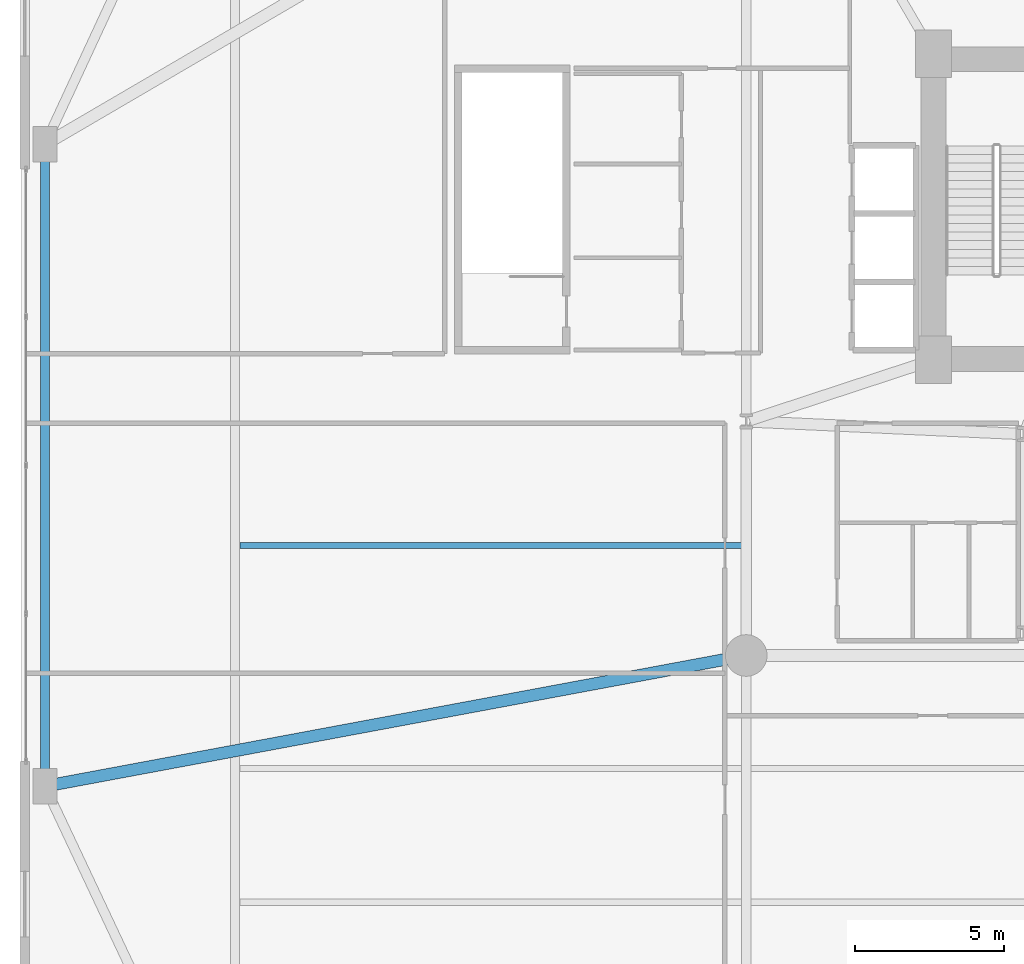
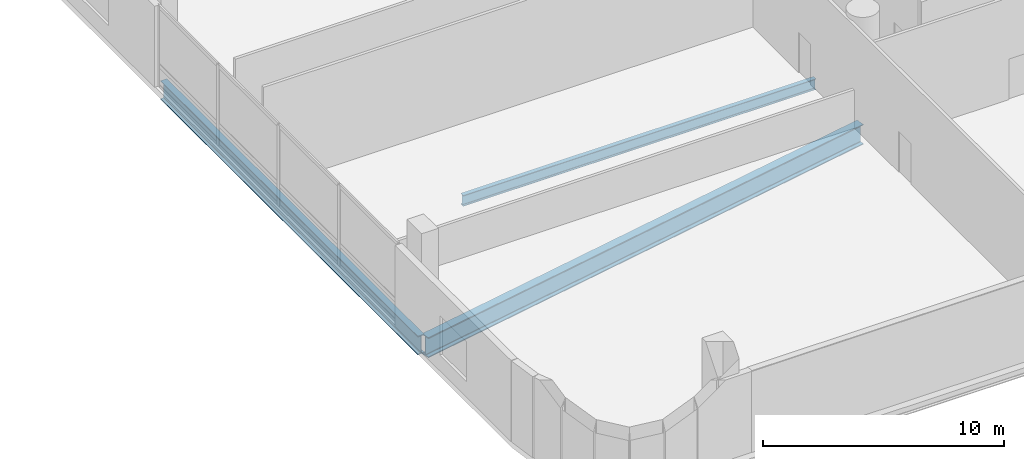
# One storey, part 5 of 31: 3 beams.
"""IFC4 building model written with IfcOpenShell, lengths in metres."""

from ifc_helpers import new_model, si_unit, direction, frame, origin, origin_2d, place, context, subcontext, project, spatial, i_section, extrude, material, material_profile, profile_set, type_object, element, save


model = new_model("IFC4")

# Units and contexts
model_context = context("Model", 3, precision=1e-05, world=origin(), true_north=direction((0.0, 1.0)))
body_context = subcontext(model_context, "Body", "Model", "MODEL_VIEW")
ifc_project = project(units=[si_unit("LENGTHUNIT", "METRE"), si_unit("AREAUNIT", "SQUARE_METRE"), si_unit("VOLUMEUNIT", "CUBIC_METRE"), si_unit("PLANEANGLEUNIT", "RADIAN"), si_unit("MASSUNIT", "GRAM", prefix="KILO")], contexts=[model_context])

# Site, building, storey
site_placement = place(None, origin())
site = spatial("IfcSite", under=ifc_project, at=site_placement, CompositionType="ELEMENT")
building_placement = place(site_placement, origin())
building = spatial("IfcBuilding", under=site, at=building_placement, Name="Varnelok Gate Tower", CompositionType="ELEMENT")
storey_placement = place(building_placement, frame((0.0, 0.0, 21.60009765625)))
storey = spatial("IfcBuildingStorey", under=building, at=storey_placement, Name="L04", CompositionType="ELEMENT", Elevation=21.60009765625)

# Beams
ifc_material = material(Name="Structural Steel ASTM A992 Grade 50", Category="steel")
ifc_material_profile_1 = material_profile(ifc_material, i_section(OverallWidth=0.2119140625, OverallDepth=0.5439453125, WebThickness=0.01318359375, FlangeThickness=0.021240234375, FilletRadius=0.01611328125, at=origin_2d()), Name="W21X83")
ifc_profile_set_1 = profile_set([ifc_material_profile_1], Name="Structural Steel ASTM A992 Grade 50")
beam_type_1 = type_object("IfcBeamType", Name="BM-JST-W21X83", PredefinedType="JOIST", material=ifc_profile_set_1)
beam_1_placement = place(storey_placement, frame((7.360107421875, 22.5, -0.592041015625), z_axis=(1.0, 0.0, 0.0), x_axis=(0.0, 1.0, 0.0)))
element("IfcBeam", 1, at=beam_1_placement, inside=storey, type_object=beam_type_1, Name="L04 Podium Floor Joist", PredefinedType="JOIST", context=body_context, shape_type="SweptSolid", body=[
    extrude(i_section(OverallWidth=0.2119140625, OverallDepth=0.5439453125, WebThickness=0.01318359375, FlangeThickness=0.021240234375, FilletRadius=0.01611328125, at=origin_2d()), origin(), (0.0, 0.0, 1.0), 16.8798828125),
])
ifc_material_profile_2 = material_profile(ifc_material, i_section(OverallWidth=0.30810546875, OverallDepth=0.943115234375, WebThickness=0.022216796875, FlangeThickness=0.039794921875, FilletRadius=0.02587890625, at=origin_2d()), Name="W36X232")
ifc_profile_set_2 = profile_set([ifc_material_profile_2], Name="Structural Steel ASTM A992 Grade 50")
beam_type_2 = type_object("IfcBeamType", Name="BM-PRI-W36X232", PredefinedType="BEAM", material=ifc_profile_set_2)
beam_2_placement = place(storey_placement, frame((0.800048828125, 14.5400390625, -0.79150390625), z_axis=(0.0, 1.0, 0.0), x_axis=(-1.0, 0.0, 0.0)))
element("IfcBeam", 2, at=beam_2_placement, inside=storey, type_object=beam_type_2, Name="L04 Podium Primary Girder 6", PredefinedType="BEAM", context=body_context, shape_type="SweptSolid", body=[
    extrude(i_section(OverallWidth=0.30810546875, OverallDepth=0.943115234375, WebThickness=0.022216796875, FlangeThickness=0.039794921875, FilletRadius=0.02587890625, at=origin_2d()), origin(), (0.0, 0.0, 1.0), 21.320068359375),
])
ifc_material_profile_3 = material_profile(ifc_material, i_section(OverallWidth=0.404052734375, OverallDepth=1.02001953125, WebThickness=0.025390625, FlangeThickness=0.0458984375, FilletRadius=0.030029296875, at=origin_2d()), Name="W40X324")
ifc_profile_set_3 = profile_set([ifc_material_profile_3], Name="Structural Steel ASTM A992 Grade 50")
beam_type_3 = type_object("IfcBeamType", Name="BM-SPR-W40X324", PredefinedType="BEAM", material=ifc_profile_set_3)
beam_3_placement = place(storey_placement, frame((0.9375, 14.42578125, -0.830078125), z_axis=(0.983060958823, 0.183278889234, 0.0), x_axis=(-0.183278889234, 0.983060958823, 0.0)))
element("IfcBeam", 3, at=beam_3_placement, inside=storey, type_object=beam_type_3, Name="L04 Podium Primary Girder 16", PredefinedType="BEAM", context=body_context, shape_type="SweptSolid", body=[
    extrude(i_section(OverallWidth=0.404052734375, OverallDepth=1.02001953125, WebThickness=0.025390625, FlangeThickness=0.0458984375, FilletRadius=0.030029296875, at=origin_2d()), origin(), (0.0, 0.0, 1.0), 23.726806640625),
])

save(model, "model.ifc")
